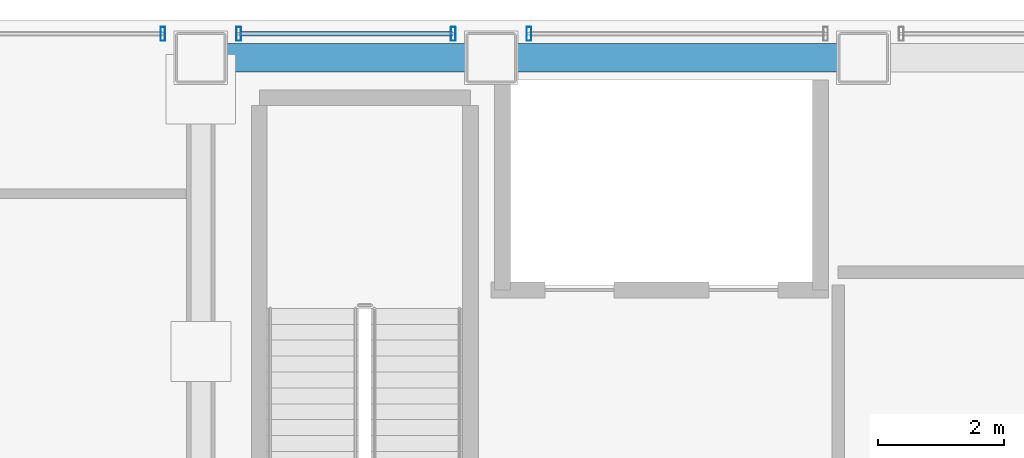
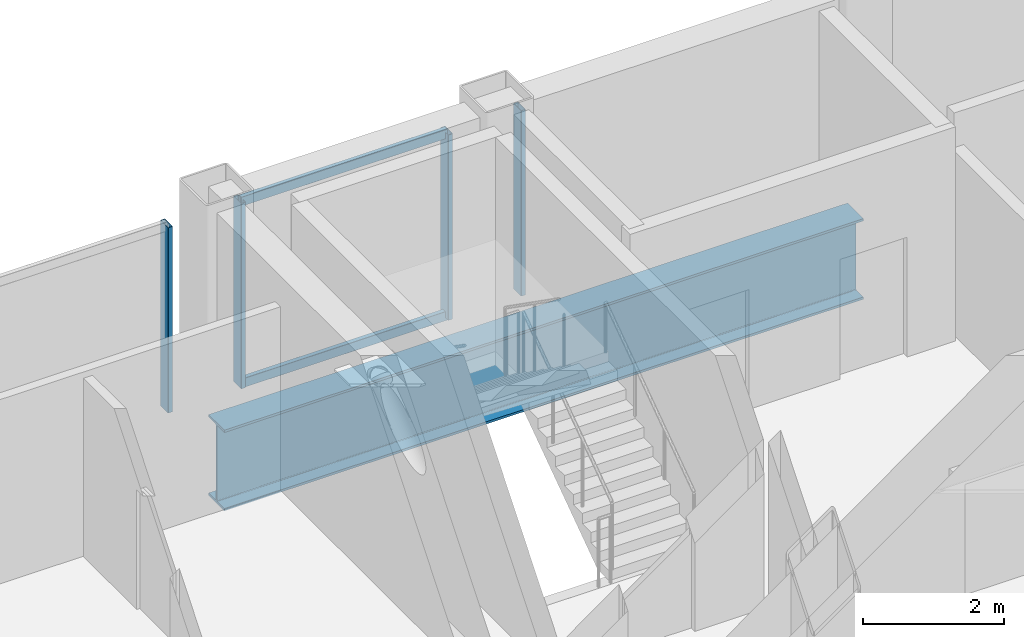
# One storey, part 11 of 22: 6 members, 1 beam, 3 elements without a shape of their own.
"""IFC4 building model written with IfcOpenShell, lengths in metres."""

from ifc_helpers import new_model, si_unit, direction, frame, origin, origin_2d, place, context, subcontext, project, spatial, hollow_rectangle, i_section, extrude, material, material_profile, profile_set, type_object, element, aggregate, save


model = new_model("IFC4")

# Units and contexts
model_context = context("Model", 3, precision=1e-05, world=origin(), true_north=direction((0.0, 1.0)))
body_context = subcontext(model_context, "Body", "Model", "MODEL_VIEW")
ifc_project = project(units=[si_unit("LENGTHUNIT", "METRE"), si_unit("AREAUNIT", "SQUARE_METRE"), si_unit("VOLUMEUNIT", "CUBIC_METRE"), si_unit("PLANEANGLEUNIT", "RADIAN"), si_unit("MASSUNIT", "GRAM", prefix="KILO")], contexts=[model_context])

# Site, building, storey
site_placement = place(None, origin())
site = spatial("IfcSite", under=ifc_project, at=site_placement, CompositionType="ELEMENT")
building_placement = place(site_placement, origin())
building = spatial("IfcBuilding", under=site, at=building_placement, Name="Noeulbin Bourse Tower", CompositionType="ELEMENT")
storey_placement = place(building_placement, frame((0.0, 0.0, 230.60009765625)))
storey = spatial("IfcBuildingStorey", under=building, at=storey_placement, Name="L57", CompositionType="ELEMENT", Elevation=230.60009765625)

# Beam
ifc_material_1 = material(Name="Steel S460", Category="steel")
ifc_material_profile_1 = material_profile(ifc_material_1, i_section(OverallWidth=0.449951171875, OverallDepth=1.39990234375, WebThickness=0.02392578125, FlangeThickness=0.0400390625, FilletRadius=0.02392578125, at=origin_2d()), Name="PG-1400x450x24x40", Category="LoadBearing")
ifc_profile_set_1 = profile_set([ifc_material_profile_1], Name="Steel S460")
beam_type = type_object("IfcBeamType", Name="BM-TRF-1400", PredefinedType="USERDEFINED", material=ifc_profile_set_1)
beam_placement = place(storey_placement, frame((13.5, 38.300048828125, -0.940185546875), z_axis=(1.0, 0.0, 0.0), x_axis=(0.0, 1.0, 0.0)))
element("IfcBeam", 1, at=beam_placement, inside=storey, type_object=beam_type, Name="Tower Primary Girder EW L57-3.1", ObjectType="GIRDER", PredefinedType="USERDEFINED", context=body_context, shape_type="SweptSolid", body=[
    extrude(i_section(OverallWidth=0.449951171875, OverallDepth=1.39990234375, WebThickness=0.02392578125, FlangeThickness=0.0400390625, FilletRadius=0.02392578125, at=origin_2d()), origin(), (0.0, 0.0, 1.0), 10.5),
])

# Curtain wall, member
ifc_material_2 = material(Name="High-Selectivity Low-Iron Glazing", Category="glass")
curtain_wall_type = type_object("IfcCurtainWallType", Name="CW-SYS-4", PredefinedType="NOTDEFINED", material=ifc_material_2)
curtain_wall_1_placement = place(storey_placement, origin())
curtain_wall_1 = element("IfcCurtainWall", 2, at=curtain_wall_1_placement, inside=storey, type_object=curtain_wall_type, Name="Unitised Curtain Wall CW-L57-N-S1", PredefinedType="NOTDEFINED")
ifc_material_3 = material(Name="Anodised Aluminium 6063-T6", Category="aluminium")
ifc_material_profile_2 = material_profile(ifc_material_3, hollow_rectangle(XDim=0.074951171875, YDim=0.219970703125, WallThickness=0.0048828125, InnerFilletRadius=0.00244140625, OuterFilletRadius=0.0048828125, at=origin_2d()), Name="ALU-MULL-75x220x5", Category="LoadBearing")
ifc_profile_set_2 = profile_set([ifc_material_profile_2], Name="Anodised Aluminium 6063-T6")
member_type_1 = type_object("IfcMemberType", Name="CW-SYS-4-MUL", PredefinedType="MULLION", material=ifc_profile_set_2)
member_1_placement = place(storey_placement, frame((12.89990234375, 38.679931640625, -0.02001953125), z_axis=(0.0, 0.0, 1.0), x_axis=(1.0, 0.0, 0.0)))
member_1 = element("IfcMember", 3, at=member_1_placement, type_object=member_type_1, Name="Curtain Wall Mullion CW-L57-N-S1-M01", PredefinedType="MULLION", context=body_context, shape_type="SweptSolid", body=[
    extrude(hollow_rectangle(XDim=0.074951171875, YDim=0.219970703125, WallThickness=0.0048828125, InnerFilletRadius=0.00244140625, OuterFilletRadius=0.0048828125, at=origin_2d()), origin(), (0.0, 0.0, 1.0), 3.219970703125),
])
aggregate(curtain_wall_1, [member_1])

# Curtain wall, members
curtain_wall_2_placement = place(storey_placement, origin())
curtain_wall_2 = element("IfcCurtainWall", 4, at=curtain_wall_2_placement, inside=storey, type_object=curtain_wall_type, Name="Unitised Curtain Wall CW-L57-N-S2", PredefinedType="NOTDEFINED")
member_2_placement = place(storey_placement, frame((14.10009765625, 38.679931640625, -0.02001953125), z_axis=(0.0, 0.0, 1.0), x_axis=(1.0, 0.0, 0.0)))
member_2 = element("IfcMember", 5, at=member_2_placement, type_object=member_type_1, Name="Curtain Wall Mullion CW-L57-N-S2-M00", PredefinedType="MULLION", context=body_context, shape_type="SweptSolid", body=[
    extrude(hollow_rectangle(XDim=0.074951171875, YDim=0.219970703125, WallThickness=0.0048828125, InnerFilletRadius=0.00244140625, OuterFilletRadius=0.0048828125, at=origin_2d()), origin(), (0.0, 0.0, 1.0), 3.219970703125),
])
member_3_placement = place(storey_placement, frame((17.5, 38.679931640625, -0.02001953125), z_axis=(0.0, 0.0, 1.0), x_axis=(1.0, 0.0, 0.0)))
member_3 = element("IfcMember", 6, at=member_3_placement, type_object=member_type_1, Name="Curtain Wall Mullion CW-L57-N-S2-M01", PredefinedType="MULLION", context=body_context, shape_type="SweptSolid", body=[
    extrude(hollow_rectangle(XDim=0.074951171875, YDim=0.219970703125, WallThickness=0.0048828125, InnerFilletRadius=0.00244140625, OuterFilletRadius=0.0048828125, at=origin_2d()), origin(), (0.0, 0.0, 1.0), 3.219970703125),
])

# Curtain wall, member
curtain_wall_3_placement = place(storey_placement, origin())
curtain_wall_3 = element("IfcCurtainWall", 7, at=curtain_wall_3_placement, inside=storey, type_object=curtain_wall_type, Name="Unitised Curtain Wall CW-L57-N-S3", PredefinedType="NOTDEFINED")
member_4_placement = place(storey_placement, frame((18.699951171875, 38.679931640625, -0.02001953125), z_axis=(0.0, 0.0, 1.0), x_axis=(1.0, 0.0, 0.0)))
member_4 = element("IfcMember", 8, at=member_4_placement, type_object=member_type_1, Name="Curtain Wall Mullion CW-L57-N-S3-M00", PredefinedType="MULLION", context=body_context, shape_type="SweptSolid", body=[
    extrude(hollow_rectangle(XDim=0.074951171875, YDim=0.219970703125, WallThickness=0.0048828125, InnerFilletRadius=0.00244140625, OuterFilletRadius=0.0048828125, at=origin_2d()), origin(), (0.0, 0.0, 1.0), 3.219970703125),
])
aggregate(curtain_wall_3, [member_4])

# Member
ifc_material_profile_3 = material_profile(ifc_material_3, hollow_rectangle(XDim=0.074951171875, YDim=0.159912109375, WallThickness=0.0048828125, InnerFilletRadius=0.00244140625, OuterFilletRadius=0.0048828125, at=origin_2d()), Name="ALU-TRAN-75x160x5", Category="LoadBearing")
ifc_profile_set_3 = profile_set([ifc_material_profile_3], Name="Anodised Aluminium 6063-T6")
member_type_2 = type_object("IfcMemberType", Name="CW-SYS-4-TRN", PredefinedType="USERDEFINED", material=ifc_profile_set_3)
member_5_placement = place(storey_placement, frame((14.110107421875, 38.679931640625, 0.010009765625), z_axis=(1.0, 0.0, 0.0), x_axis=(0.0, 1.0, 0.0)))
member_5 = element("IfcMember", 9, at=member_5_placement, type_object=member_type_2, Name="Curtain Wall Transom CW-L57-N-S2-T00", ObjectType="TRANSOM", PredefinedType="USERDEFINED", context=body_context, shape_type="SweptSolid", body=[
    extrude(hollow_rectangle(XDim=0.074951171875, YDim=0.159912109375, WallThickness=0.0048828125, InnerFilletRadius=0.00244140625, OuterFilletRadius=0.0048828125, at=origin_2d()), origin(), (0.0, 0.0, 1.0), 3.3798828125),
])

member_6_placement = place(storey_placement, frame((14.110107421875, 38.679931640625, 3.169921875), z_axis=(1.0, 0.0, 0.0), x_axis=(0.0, 1.0, 0.0)))
member_6 = element("IfcMember", 10, at=member_6_placement, type_object=member_type_2, Name="Curtain Wall Transom CW-L57-N-S2-T01", ObjectType="TRANSOM", PredefinedType="USERDEFINED", context=body_context, shape_type="SweptSolid", body=[
    extrude(hollow_rectangle(XDim=0.074951171875, YDim=0.159912109375, WallThickness=0.0048828125, InnerFilletRadius=0.00244140625, OuterFilletRadius=0.0048828125, at=origin_2d()), origin(), (0.0, 0.0, 1.0), 3.3798828125),
])

aggregate(curtain_wall_2, [member_2, member_3, member_5, member_6])

save(model, "model.ifc")
